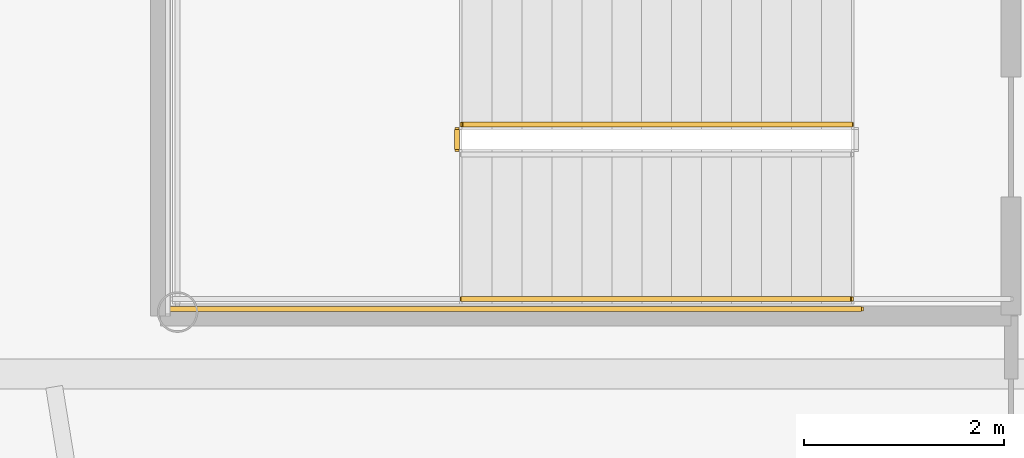
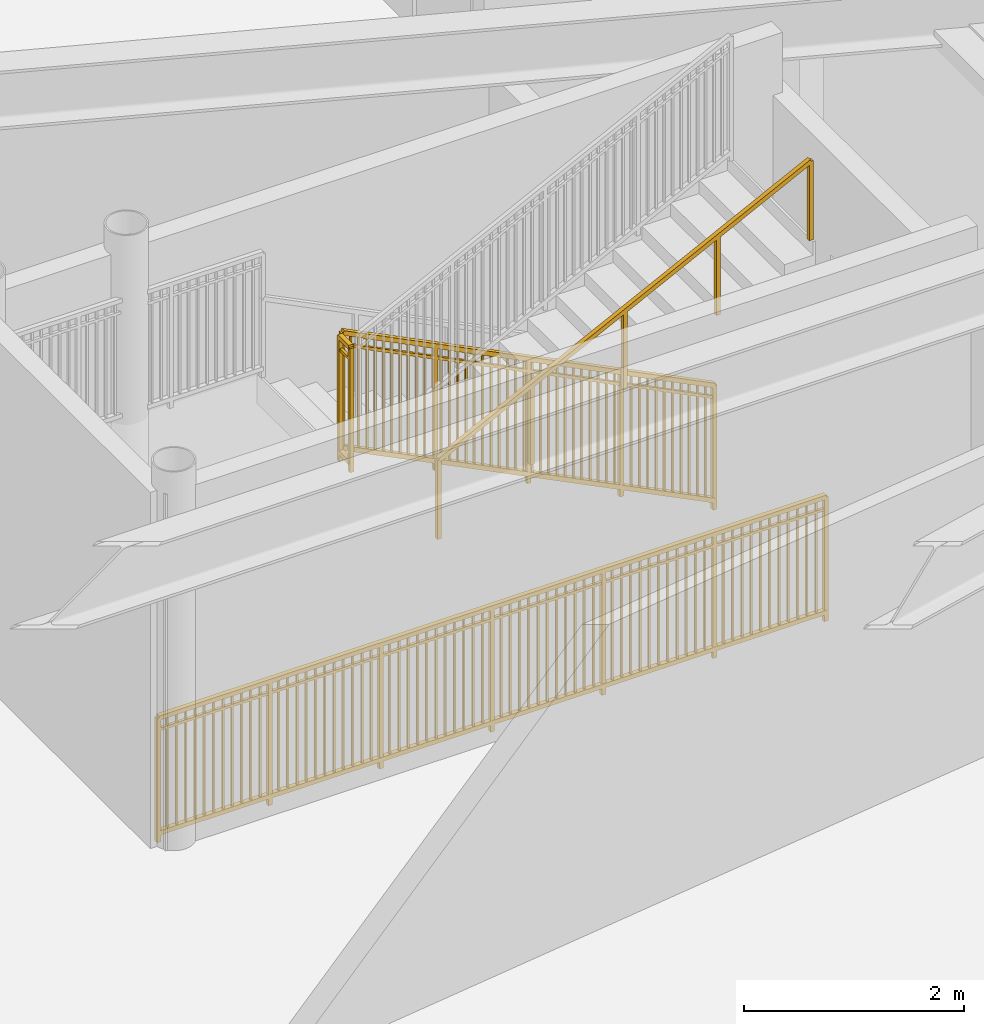
# One storey, part 19 of 29: 4 railings.
"""IFC4 building model written with IfcOpenShell, lengths in metres."""

from ifc_helpers import new_model, si_unit, direction, frame, origin, origin_2d, place, context, subcontext, project, spatial, rectangle, extrude, source, transform, mapped, material, type_object, element, save


model = new_model("IFC4")

# Units and contexts
model_context = context("Model", 3, precision=1e-05, world=origin(), true_north=direction((0.0, 1.0)))
body_context = subcontext(model_context, "Body", "Model", "MODEL_VIEW")
ifc_project = project(units=[si_unit("LENGTHUNIT", "METRE"), si_unit("AREAUNIT", "SQUARE_METRE"), si_unit("VOLUMEUNIT", "CUBIC_METRE"), si_unit("PLANEANGLEUNIT", "RADIAN"), si_unit("MASSUNIT", "GRAM", prefix="KILO")], contexts=[model_context])

# Site, building, storey
site_placement = place(None, origin())
site = spatial("IfcSite", under=ifc_project, at=site_placement, CompositionType="ELEMENT")
building_placement = place(site_placement, origin())
building = spatial("IfcBuilding", under=site, at=building_placement, Name="Linh Dai School and Residence Tower", CompositionType="ELEMENT")
storey_placement = place(building_placement, frame((0.0, 0.0, 45.0)))
storey = spatial("IfcBuildingStorey", under=building, at=storey_placement, Name="L10", CompositionType="ELEMENT", Elevation=45.0)

# Railings
ifc_material_1 = material(Name="Structural Steel S355JR", Category="steel")
railing_type_1 = type_object("IfcRailingType", Name="RL-ST-GUARD-1400", PredefinedType="GUARDRAIL", material=ifc_material_1)
shared_shape_1 = source(origin(), body_context, "Body", "SweptSolid", [
    extrude(rectangle(XDim=0.048095703125, YDim=0.048095703125, at=origin_2d()), frame((0.0, 0.0, 1.3759765625), z_axis=(0.0, -1.0, 0.0), x_axis=(1.0, 0.0, 0.0)), (0.0, 0.0, 1.0), 0.199951171875),
    extrude(rectangle(XDim=0.048095703125, YDim=0.048095703125, at=origin_2d()), frame((0.0, 0.0, 0.10009765625), z_axis=(0.0, -1.0, 0.0), x_axis=(1.0, 0.0, 0.0)), (0.0, 0.0, 1.0), 0.199951171875),
    extrude(rectangle(XDim=0.030029296875, YDim=0.030029296875, at=origin_2d()), frame((0.0, 0.0, 1.239990234375), z_axis=(0.0, -1.0, 0.0), x_axis=(1.0, 0.0, 0.0)), (0.0, 0.0, 1.0), 0.199951171875),
    extrude(rectangle(XDim=0.0419921875, YDim=0.0419921875, at=origin_2d()), origin(), (0.0, 0.0, 1.0), 1.3759765625),
    extrude(rectangle(XDim=0.0419921875, YDim=0.0419921875, at=origin_2d()), frame((0.0, -0.199951171875, 0.0)), (0.0, 0.0, 1.0), 1.3759765625),
])
railing_1_placement = place(storey_placement, frame((18.449951171875, 29.449951171875, 2.10009765625)))
element("IfcRailing", 1, at=railing_1_placement, inside=storey, type_object=railing_type_1, Name="L10 STS1 stair guard 2", PredefinedType="GUARDRAIL", context=body_context, shape_type="MappedRepresentation", body=[
    mapped(shared_shape_1, transform((0.0, 0.0, 0.0), x_axis=(1.0, 0.0, 0.0), y_axis=(0.0, 1.0, 0.0), z_axis=(0.0, 0.0, 1.0), scale=1.0)),
])
shared_shape_2 = source(origin(), body_context, "Body", "SweptSolid", [
    extrude(rectangle(XDim=0.048095703125, YDim=0.048095703125, at=origin_2d()), frame((0.0, 0.0, 1.3759765625), z_axis=(-0.894404793364, 0.0, 0.447258387967), x_axis=(0.0, -1.0, 0.0)), (0.0, 0.0, 1.0), 4.3603515625),
    extrude(rectangle(XDim=0.048095703125, YDim=0.048095703125, at=origin_2d()), frame((0.0, 0.0, 0.10009765625), z_axis=(-0.894404793364, 0.0, 0.447258387967), x_axis=(0.0, -1.0, 0.0)), (0.0, 0.0, 1.0), 4.3603515625),
    extrude(rectangle(XDim=0.030029296875, YDim=0.030029296875, at=origin_2d()), frame((0.0, 0.0, 1.239990234375), z_axis=(-0.894404793364, 0.0, 0.447258387967), x_axis=(0.0, -1.0, 0.0)), (0.0, 0.0, 1.0), 4.3603515625),
    extrude(rectangle(XDim=0.02001953125, YDim=0.02001953125, at=origin_2d()), frame((-0.086669921875, 0.0, 0.1435546875)), (0.0, 0.0, 1.0), 1.251708984375),
    extrude(rectangle(XDim=0.02001953125, YDim=0.02001953125, at=origin_2d()), frame((-0.17333984375, 0.0, 0.186767578125)), (0.0, 0.0, 1.0), 1.251708984375),
    extrude(rectangle(XDim=0.02001953125, YDim=0.02001953125, at=origin_2d()), frame((-0.260009765625, 0.0, 0.230224609375)), (0.0, 0.0, 1.0), 1.251708984375),
    extrude(rectangle(XDim=0.02001953125, YDim=0.02001953125, at=origin_2d()), frame((-0.3466796875, 0.0, 0.2734375)), (0.0, 0.0, 1.0), 1.251708984375),
    extrude(rectangle(XDim=0.02001953125, YDim=0.02001953125, at=origin_2d()), frame((-0.433349609375, 0.0, 0.31689453125)), (0.0, 0.0, 1.0), 1.251708984375),
    extrude(rectangle(XDim=0.02001953125, YDim=0.02001953125, at=origin_2d()), frame((-0.52001953125, 0.0, 0.360107421875)), (0.0, 0.0, 1.0), 1.251708984375),
    extrude(rectangle(XDim=0.02001953125, YDim=0.02001953125, at=origin_2d()), frame((-0.606689453125, 0.0, 0.403564453125)), (0.0, 0.0, 1.0), 1.251708984375),
    extrude(rectangle(XDim=0.02001953125, YDim=0.02001953125, at=origin_2d()), frame((-0.693359375, 0.0, 0.44677734375)), (0.0, 0.0, 1.0), 1.251708984375),
    extrude(rectangle(XDim=0.02001953125, YDim=0.02001953125, at=origin_2d()), frame((-0.780029296875, 0.0, 0.490234375)), (0.0, 0.0, 1.0), 1.251708984375),
    extrude(rectangle(XDim=0.02001953125, YDim=0.02001953125, at=origin_2d()), frame((-0.86669921875, 0.0, 0.533447265625)), (0.0, 0.0, 1.0), 1.251708984375),
    extrude(rectangle(XDim=0.02001953125, YDim=0.02001953125, at=origin_2d()), frame((-1.0400390625, 0.0, 0.6201171875)), (0.0, 0.0, 1.0), 1.251708984375),
    extrude(rectangle(XDim=0.02001953125, YDim=0.02001953125, at=origin_2d()), frame((-1.126708984375, 0.0, 0.66357421875)), (0.0, 0.0, 1.0), 1.251708984375),
    extrude(rectangle(XDim=0.02001953125, YDim=0.02001953125, at=origin_2d()), frame((-1.21337890625, 0.0, 0.706787109375)), (0.0, 0.0, 1.0), 1.251708984375),
    extrude(rectangle(XDim=0.02001953125, YDim=0.02001953125, at=origin_2d()), frame((-1.300048828125, 0.0, 0.750244140625)), (0.0, 0.0, 1.0), 1.251708984375),
    extrude(rectangle(XDim=0.02001953125, YDim=0.02001953125, at=origin_2d()), frame((-1.38671875, 0.0, 0.79345703125)), (0.0, 0.0, 1.0), 1.251708984375),
    extrude(rectangle(XDim=0.02001953125, YDim=0.02001953125, at=origin_2d()), frame((-1.473388671875, 0.0, 0.8369140625)), (0.0, 0.0, 1.0), 1.251708984375),
    extrude(rectangle(XDim=0.02001953125, YDim=0.02001953125, at=origin_2d()), frame((-1.56005859375, 0.0, 0.880126953125)), (0.0, 0.0, 1.0), 1.251708984375),
    extrude(rectangle(XDim=0.02001953125, YDim=0.02001953125, at=origin_2d()), frame((-1.646728515625, 0.0, 0.923583984375)), (0.0, 0.0, 1.0), 1.251708984375),
    extrude(rectangle(XDim=0.02001953125, YDim=0.02001953125, at=origin_2d()), frame((-1.7333984375, 0.0, 0.966796875)), (0.0, 0.0, 1.0), 1.251708984375),
    extrude(rectangle(XDim=0.02001953125, YDim=0.02001953125, at=origin_2d()), frame((-1.820068359375, 0.0, 1.01025390625)), (0.0, 0.0, 1.0), 1.251708984375),
    extrude(rectangle(XDim=0.02001953125, YDim=0.02001953125, at=origin_2d()), frame((-1.90673828125, 0.0, 1.053466796875)), (0.0, 0.0, 1.0), 1.251708984375),
    extrude(rectangle(XDim=0.02001953125, YDim=0.02001953125, at=origin_2d()), frame((-1.9931640625, 0.0, 1.096923828125)), (0.0, 0.0, 1.0), 1.251708984375),
    extrude(rectangle(XDim=0.02001953125, YDim=0.02001953125, at=origin_2d()), frame((-2.079833984375, 0.0, 1.14013671875)), (0.0, 0.0, 1.0), 1.251708984375),
    extrude(rectangle(XDim=0.02001953125, YDim=0.02001953125, at=origin_2d()), frame((-2.16650390625, 0.0, 1.18359375)), (0.0, 0.0, 1.0), 1.251708984375),
    extrude(rectangle(XDim=0.02001953125, YDim=0.02001953125, at=origin_2d()), frame((-2.253173828125, 0.0, 1.226806640625)), (0.0, 0.0, 1.0), 1.251708984375),
    extrude(rectangle(XDim=0.02001953125, YDim=0.02001953125, at=origin_2d()), frame((-2.33984375, 0.0, 1.270263671875)), (0.0, 0.0, 1.0), 1.251708984375),
    extrude(rectangle(XDim=0.02001953125, YDim=0.02001953125, at=origin_2d()), frame((-2.426513671875, 0.0, 1.3134765625)), (0.0, 0.0, 1.0), 1.251708984375),
    extrude(rectangle(XDim=0.02001953125, YDim=0.02001953125, at=origin_2d()), frame((-2.51318359375, 0.0, 1.35693359375)), (0.0, 0.0, 1.0), 1.251708984375),
    extrude(rectangle(XDim=0.02001953125, YDim=0.02001953125, at=origin_2d()), frame((-2.599853515625, 0.0, 1.400146484375)), (0.0, 0.0, 1.0), 1.251708984375),
    extrude(rectangle(XDim=0.02001953125, YDim=0.02001953125, at=origin_2d()), frame((-2.6865234375, 0.0, 1.443603515625)), (0.0, 0.0, 1.0), 1.251708984375),
    extrude(rectangle(XDim=0.02001953125, YDim=0.02001953125, at=origin_2d()), frame((-2.773193359375, 0.0, 1.48681640625)), (0.0, 0.0, 1.0), 1.251708984375),
    extrude(rectangle(XDim=0.02001953125, YDim=0.02001953125, at=origin_2d()), frame((-2.85986328125, 0.0, 1.5302734375)), (0.0, 0.0, 1.0), 1.251708984375),
    extrude(rectangle(XDim=0.02001953125, YDim=0.02001953125, at=origin_2d()), frame((-3.033203125, 0.0, 1.616943359375)), (0.0, 0.0, 1.0), 1.251708984375),
    extrude(rectangle(XDim=0.02001953125, YDim=0.02001953125, at=origin_2d()), frame((-3.119873046875, 0.0, 1.66015625)), (0.0, 0.0, 1.0), 1.251708984375),
    extrude(rectangle(XDim=0.02001953125, YDim=0.02001953125, at=origin_2d()), frame((-3.20654296875, 0.0, 1.70361328125)), (0.0, 0.0, 1.0), 1.251708984375),
    extrude(rectangle(XDim=0.02001953125, YDim=0.02001953125, at=origin_2d()), frame((-3.293212890625, 0.0, 1.746826171875)), (0.0, 0.0, 1.0), 1.251708984375),
    extrude(rectangle(XDim=0.02001953125, YDim=0.02001953125, at=origin_2d()), frame((-3.3798828125, 0.0, 1.790283203125)), (0.0, 0.0, 1.0), 1.251708984375),
    extrude(rectangle(XDim=0.02001953125, YDim=0.02001953125, at=origin_2d()), frame((-3.466552734375, 0.0, 1.83349609375)), (0.0, 0.0, 1.0), 1.251708984375),
    extrude(rectangle(XDim=0.02001953125, YDim=0.02001953125, at=origin_2d()), frame((-3.55322265625, 0.0, 1.876953125)), (0.0, 0.0, 1.0), 1.251708984375),
    extrude(rectangle(XDim=0.02001953125, YDim=0.02001953125, at=origin_2d()), frame((-3.639892578125, 0.0, 1.920166015625)), (0.0, 0.0, 1.0), 1.251708984375),
    extrude(rectangle(XDim=0.02001953125, YDim=0.02001953125, at=origin_2d()), frame((-3.7265625, 0.0, 1.963623046875)), (0.0, 0.0, 1.0), 1.251708984375),
    extrude(rectangle(XDim=0.02001953125, YDim=0.02001953125, at=origin_2d()), frame((-3.813232421875, 0.0, 2.0068359375)), (0.0, 0.0, 1.0), 1.251708984375),
    extrude(rectangle(XDim=0.0419921875, YDim=0.0419921875, at=origin_2d()), origin(), (0.0, 0.0, 1.0), 1.3759765625),
    extrude(rectangle(XDim=0.0419921875, YDim=0.0419921875, at=origin_2d()), frame((-0.97509765625, 0.0, 0.487548828125)), (0.0, 0.0, 1.0), 1.3759765625),
    extrude(rectangle(XDim=0.0419921875, YDim=0.0419921875, at=origin_2d()), frame((-1.949951171875, 0.0, 0.97509765625)), (0.0, 0.0, 1.0), 1.3759765625),
    extrude(rectangle(XDim=0.0419921875, YDim=0.0419921875, at=origin_2d()), frame((-2.9248046875, 0.0, 1.462646484375)), (0.0, 0.0, 1.0), 1.3759765625),
    extrude(rectangle(XDim=0.0419921875, YDim=0.0419921875, at=origin_2d()), frame((-3.89990234375, 0.0, 1.9501953125)), (0.0, 0.0, 1.0), 1.3759765625),
])
railing_2_placement = place(storey_placement, frame((22.39990234375, 29.5, 0.14990234375)))
element("IfcRailing", 2, at=railing_2_placement, inside=storey, type_object=railing_type_1, Name="L10 STS1 stair guard 1", PredefinedType="GUARDRAIL", context=body_context, shape_type="MappedRepresentation", body=[
    mapped(shared_shape_2, transform((0.0, 0.0, 0.0), x_axis=(1.0, 0.0, 0.0), y_axis=(0.0, 1.0, 0.0), z_axis=(0.0, 0.0, 1.0), scale=1.0)),
])
shared_shape_3 = source(origin(), body_context, "Body", "SweptSolid", [
    extrude(rectangle(XDim=0.048095703125, YDim=0.048095703125, at=origin_2d()), frame((0.0, 0.0, 1.3759765625), z_axis=(-1.0, 0.0, 0.0), x_axis=(0.0, -1.0, 0.0)), (0.0, 0.0, 1.0), 7.0),
    extrude(rectangle(XDim=0.048095703125, YDim=0.048095703125, at=origin_2d()), frame((0.0, 0.0, 0.10009765625), z_axis=(-1.0, 0.0, 0.0), x_axis=(0.0, -1.0, 0.0)), (0.0, 0.0, 1.0), 7.0),
    extrude(rectangle(XDim=0.030029296875, YDim=0.030029296875, at=origin_2d()), frame((0.0, 0.0, 1.239990234375), z_axis=(-1.0, 0.0, 0.0), x_axis=(0.0, -1.0, 0.0)), (0.0, 0.0, 1.0), 7.0),
    extrude(rectangle(XDim=0.02001953125, YDim=0.02001953125, at=origin_2d()), frame((-0.09716796875, 0.0, 0.10009765625)), (0.0, 0.0, 1.0), 1.251708984375),
    extrude(rectangle(XDim=0.02001953125, YDim=0.02001953125, at=origin_2d()), frame((-0.1943359375, 0.0, 0.10009765625)), (0.0, 0.0, 1.0), 1.251708984375),
    extrude(rectangle(XDim=0.02001953125, YDim=0.02001953125, at=origin_2d()), frame((-0.291748046875, 0.0, 0.10009765625)), (0.0, 0.0, 1.0), 1.251708984375),
    extrude(rectangle(XDim=0.02001953125, YDim=0.02001953125, at=origin_2d()), frame((-0.388916015625, 0.0, 0.10009765625)), (0.0, 0.0, 1.0), 1.251708984375),
    extrude(rectangle(XDim=0.02001953125, YDim=0.02001953125, at=origin_2d()), frame((-0.486083984375, 0.0, 0.10009765625)), (0.0, 0.0, 1.0), 1.251708984375),
    extrude(rectangle(XDim=0.02001953125, YDim=0.02001953125, at=origin_2d()), frame((-0.583251953125, 0.0, 0.10009765625)), (0.0, 0.0, 1.0), 1.251708984375),
    extrude(rectangle(XDim=0.02001953125, YDim=0.02001953125, at=origin_2d()), frame((-0.6806640625, 0.0, 0.10009765625)), (0.0, 0.0, 1.0), 1.251708984375),
    extrude(rectangle(XDim=0.02001953125, YDim=0.02001953125, at=origin_2d()), frame((-0.77783203125, 0.0, 0.10009765625)), (0.0, 0.0, 1.0), 1.251708984375),
    extrude(rectangle(XDim=0.02001953125, YDim=0.02001953125, at=origin_2d()), frame((-0.875, 0.0, 0.10009765625)), (0.0, 0.0, 1.0), 1.251708984375),
    extrude(rectangle(XDim=0.02001953125, YDim=0.02001953125, at=origin_2d()), frame((-0.97216796875, 0.0, 0.10009765625)), (0.0, 0.0, 1.0), 1.251708984375),
    extrude(rectangle(XDim=0.02001953125, YDim=0.02001953125, at=origin_2d()), frame((-1.0693359375, 0.0, 0.10009765625)), (0.0, 0.0, 1.0), 1.251708984375),
    extrude(rectangle(XDim=0.02001953125, YDim=0.02001953125, at=origin_2d()), frame((-1.263916015625, 0.0, 0.10009765625)), (0.0, 0.0, 1.0), 1.251708984375),
    extrude(rectangle(XDim=0.02001953125, YDim=0.02001953125, at=origin_2d()), frame((-1.361083984375, 0.0, 0.10009765625)), (0.0, 0.0, 1.0), 1.251708984375),
    extrude(rectangle(XDim=0.02001953125, YDim=0.02001953125, at=origin_2d()), frame((-1.458251953125, 0.0, 0.10009765625)), (0.0, 0.0, 1.0), 1.251708984375),
    extrude(rectangle(XDim=0.02001953125, YDim=0.02001953125, at=origin_2d()), frame((-1.5556640625, 0.0, 0.10009765625)), (0.0, 0.0, 1.0), 1.251708984375),
    extrude(rectangle(XDim=0.02001953125, YDim=0.02001953125, at=origin_2d()), frame((-1.65283203125, 0.0, 0.10009765625)), (0.0, 0.0, 1.0), 1.251708984375),
    extrude(rectangle(XDim=0.02001953125, YDim=0.02001953125, at=origin_2d()), frame((-1.75, 0.0, 0.10009765625)), (0.0, 0.0, 1.0), 1.251708984375),
    extrude(rectangle(XDim=0.02001953125, YDim=0.02001953125, at=origin_2d()), frame((-1.84716796875, 0.0, 0.10009765625)), (0.0, 0.0, 1.0), 1.251708984375),
    extrude(rectangle(XDim=0.02001953125, YDim=0.02001953125, at=origin_2d()), frame((-1.9443359375, 0.0, 0.10009765625)), (0.0, 0.0, 1.0), 1.251708984375),
    extrude(rectangle(XDim=0.02001953125, YDim=0.02001953125, at=origin_2d()), frame((-2.041748046875, 0.0, 0.10009765625)), (0.0, 0.0, 1.0), 1.251708984375),
    extrude(rectangle(XDim=0.02001953125, YDim=0.02001953125, at=origin_2d()), frame((-2.138916015625, 0.0, 0.10009765625)), (0.0, 0.0, 1.0), 1.251708984375),
    extrude(rectangle(XDim=0.02001953125, YDim=0.02001953125, at=origin_2d()), frame((-2.236083984375, 0.0, 0.10009765625)), (0.0, 0.0, 1.0), 1.251708984375),
    extrude(rectangle(XDim=0.02001953125, YDim=0.02001953125, at=origin_2d()), frame((-2.4306640625, 0.0, 0.10009765625)), (0.0, 0.0, 1.0), 1.251708984375),
    extrude(rectangle(XDim=0.02001953125, YDim=0.02001953125, at=origin_2d()), frame((-2.52783203125, 0.0, 0.10009765625)), (0.0, 0.0, 1.0), 1.251708984375),
    extrude(rectangle(XDim=0.02001953125, YDim=0.02001953125, at=origin_2d()), frame((-2.625, 0.0, 0.10009765625)), (0.0, 0.0, 1.0), 1.251708984375),
    extrude(rectangle(XDim=0.02001953125, YDim=0.02001953125, at=origin_2d()), frame((-2.72216796875, 0.0, 0.10009765625)), (0.0, 0.0, 1.0), 1.251708984375),
    extrude(rectangle(XDim=0.02001953125, YDim=0.02001953125, at=origin_2d()), frame((-2.8193359375, 0.0, 0.10009765625)), (0.0, 0.0, 1.0), 1.251708984375),
    extrude(rectangle(XDim=0.02001953125, YDim=0.02001953125, at=origin_2d()), frame((-2.916748046875, 0.0, 0.10009765625)), (0.0, 0.0, 1.0), 1.251708984375),
    extrude(rectangle(XDim=0.02001953125, YDim=0.02001953125, at=origin_2d()), frame((-3.013916015625, 0.0, 0.10009765625)), (0.0, 0.0, 1.0), 1.251708984375),
    extrude(rectangle(XDim=0.02001953125, YDim=0.02001953125, at=origin_2d()), frame((-3.111083984375, 0.0, 0.10009765625)), (0.0, 0.0, 1.0), 1.251708984375),
    extrude(rectangle(XDim=0.02001953125, YDim=0.02001953125, at=origin_2d()), frame((-3.208251953125, 0.0, 0.10009765625)), (0.0, 0.0, 1.0), 1.251708984375),
    extrude(rectangle(XDim=0.02001953125, YDim=0.02001953125, at=origin_2d()), frame((-3.3056640625, 0.0, 0.10009765625)), (0.0, 0.0, 1.0), 1.251708984375),
    extrude(rectangle(XDim=0.02001953125, YDim=0.02001953125, at=origin_2d()), frame((-3.40283203125, 0.0, 0.10009765625)), (0.0, 0.0, 1.0), 1.251708984375),
    extrude(rectangle(XDim=0.02001953125, YDim=0.02001953125, at=origin_2d()), frame((-3.59716796875, 0.0, 0.10009765625)), (0.0, 0.0, 1.0), 1.251708984375),
    extrude(rectangle(XDim=0.02001953125, YDim=0.02001953125, at=origin_2d()), frame((-3.6943359375, 0.0, 0.10009765625)), (0.0, 0.0, 1.0), 1.251708984375),
    extrude(rectangle(XDim=0.02001953125, YDim=0.02001953125, at=origin_2d()), frame((-3.791748046875, 0.0, 0.10009765625)), (0.0, 0.0, 1.0), 1.251708984375),
    extrude(rectangle(XDim=0.02001953125, YDim=0.02001953125, at=origin_2d()), frame((-3.888916015625, 0.0, 0.10009765625)), (0.0, 0.0, 1.0), 1.251708984375),
    extrude(rectangle(XDim=0.02001953125, YDim=0.02001953125, at=origin_2d()), frame((-3.986083984375, 0.0, 0.10009765625)), (0.0, 0.0, 1.0), 1.251708984375),
    extrude(rectangle(XDim=0.02001953125, YDim=0.02001953125, at=origin_2d()), frame((-4.083251953125, 0.0, 0.10009765625)), (0.0, 0.0, 1.0), 1.251708984375),
    extrude(rectangle(XDim=0.02001953125, YDim=0.02001953125, at=origin_2d()), frame((-4.1806640625, 0.0, 0.10009765625)), (0.0, 0.0, 1.0), 1.251708984375),
    extrude(rectangle(XDim=0.02001953125, YDim=0.02001953125, at=origin_2d()), frame((-4.27783203125, 0.0, 0.10009765625)), (0.0, 0.0, 1.0), 1.251708984375),
    extrude(rectangle(XDim=0.02001953125, YDim=0.02001953125, at=origin_2d()), frame((-4.375, 0.0, 0.10009765625)), (0.0, 0.0, 1.0), 1.251708984375),
    extrude(rectangle(XDim=0.02001953125, YDim=0.02001953125, at=origin_2d()), frame((-4.47216796875, 0.0, 0.10009765625)), (0.0, 0.0, 1.0), 1.251708984375),
    extrude(rectangle(XDim=0.02001953125, YDim=0.02001953125, at=origin_2d()), frame((-4.5693359375, 0.0, 0.10009765625)), (0.0, 0.0, 1.0), 1.251708984375),
    extrude(rectangle(XDim=0.02001953125, YDim=0.02001953125, at=origin_2d()), frame((-4.763916015625, 0.0, 0.10009765625)), (0.0, 0.0, 1.0), 1.251708984375),
    extrude(rectangle(XDim=0.02001953125, YDim=0.02001953125, at=origin_2d()), frame((-4.861083984375, 0.0, 0.10009765625)), (0.0, 0.0, 1.0), 1.251708984375),
    extrude(rectangle(XDim=0.02001953125, YDim=0.02001953125, at=origin_2d()), frame((-4.958251953125, 0.0, 0.10009765625)), (0.0, 0.0, 1.0), 1.251708984375),
    extrude(rectangle(XDim=0.02001953125, YDim=0.02001953125, at=origin_2d()), frame((-5.0556640625, 0.0, 0.10009765625)), (0.0, 0.0, 1.0), 1.251708984375),
    extrude(rectangle(XDim=0.02001953125, YDim=0.02001953125, at=origin_2d()), frame((-5.15283203125, 0.0, 0.10009765625)), (0.0, 0.0, 1.0), 1.251708984375),
    extrude(rectangle(XDim=0.02001953125, YDim=0.02001953125, at=origin_2d()), frame((-5.25, 0.0, 0.10009765625)), (0.0, 0.0, 1.0), 1.251708984375),
    extrude(rectangle(XDim=0.02001953125, YDim=0.02001953125, at=origin_2d()), frame((-5.34716796875, 0.0, 0.10009765625)), (0.0, 0.0, 1.0), 1.251708984375),
    extrude(rectangle(XDim=0.02001953125, YDim=0.02001953125, at=origin_2d()), frame((-5.4443359375, 0.0, 0.10009765625)), (0.0, 0.0, 1.0), 1.251708984375),
    extrude(rectangle(XDim=0.02001953125, YDim=0.02001953125, at=origin_2d()), frame((-5.541748046875, 0.0, 0.10009765625)), (0.0, 0.0, 1.0), 1.251708984375),
    extrude(rectangle(XDim=0.02001953125, YDim=0.02001953125, at=origin_2d()), frame((-5.638916015625, 0.0, 0.10009765625)), (0.0, 0.0, 1.0), 1.251708984375),
    extrude(rectangle(XDim=0.02001953125, YDim=0.02001953125, at=origin_2d()), frame((-5.736083984375, 0.0, 0.10009765625)), (0.0, 0.0, 1.0), 1.251708984375),
    extrude(rectangle(XDim=0.02001953125, YDim=0.02001953125, at=origin_2d()), frame((-5.9306640625, 0.0, 0.10009765625)), (0.0, 0.0, 1.0), 1.251708984375),
    extrude(rectangle(XDim=0.02001953125, YDim=0.02001953125, at=origin_2d()), frame((-6.02783203125, 0.0, 0.10009765625)), (0.0, 0.0, 1.0), 1.251708984375),
    extrude(rectangle(XDim=0.02001953125, YDim=0.02001953125, at=origin_2d()), frame((-6.125, 0.0, 0.10009765625)), (0.0, 0.0, 1.0), 1.251708984375),
    extrude(rectangle(XDim=0.02001953125, YDim=0.02001953125, at=origin_2d()), frame((-6.22216796875, 0.0, 0.10009765625)), (0.0, 0.0, 1.0), 1.251708984375),
    extrude(rectangle(XDim=0.02001953125, YDim=0.02001953125, at=origin_2d()), frame((-6.3193359375, 0.0, 0.10009765625)), (0.0, 0.0, 1.0), 1.251708984375),
    extrude(rectangle(XDim=0.02001953125, YDim=0.02001953125, at=origin_2d()), frame((-6.416748046875, 0.0, 0.10009765625)), (0.0, 0.0, 1.0), 1.251708984375),
    extrude(rectangle(XDim=0.02001953125, YDim=0.02001953125, at=origin_2d()), frame((-6.513916015625, 0.0, 0.10009765625)), (0.0, 0.0, 1.0), 1.251708984375),
    extrude(rectangle(XDim=0.02001953125, YDim=0.02001953125, at=origin_2d()), frame((-6.611083984375, 0.0, 0.10009765625)), (0.0, 0.0, 1.0), 1.251708984375),
    extrude(rectangle(XDim=0.02001953125, YDim=0.02001953125, at=origin_2d()), frame((-6.708251953125, 0.0, 0.10009765625)), (0.0, 0.0, 1.0), 1.251708984375),
    extrude(rectangle(XDim=0.02001953125, YDim=0.02001953125, at=origin_2d()), frame((-6.8056640625, 0.0, 0.10009765625)), (0.0, 0.0, 1.0), 1.251708984375),
    extrude(rectangle(XDim=0.02001953125, YDim=0.02001953125, at=origin_2d()), frame((-6.90283203125, 0.0, 0.10009765625)), (0.0, 0.0, 1.0), 1.251708984375),
    extrude(rectangle(XDim=0.0419921875, YDim=0.0419921875, at=origin_2d()), origin(), (0.0, 0.0, 1.0), 1.3759765625),
    extrude(rectangle(XDim=0.0419921875, YDim=0.0419921875, at=origin_2d()), frame((-1.166748046875, 0.0, 0.0)), (0.0, 0.0, 1.0), 1.3759765625),
    extrude(rectangle(XDim=0.0419921875, YDim=0.0419921875, at=origin_2d()), frame((-2.333251953125, 0.0, 0.0)), (0.0, 0.0, 1.0), 1.3759765625),
    extrude(rectangle(XDim=0.0419921875, YDim=0.0419921875, at=origin_2d()), frame((-3.5, 0.0, 0.0)), (0.0, 0.0, 1.0), 1.3759765625),
    extrude(rectangle(XDim=0.0419921875, YDim=0.0419921875, at=origin_2d()), frame((-4.666748046875, 0.0, 0.0)), (0.0, 0.0, 1.0), 1.3759765625),
    extrude(rectangle(XDim=0.0419921875, YDim=0.0419921875, at=origin_2d()), frame((-5.833251953125, 0.0, 0.0)), (0.0, 0.0, 1.0), 1.3759765625),
    extrude(rectangle(XDim=0.0419921875, YDim=0.0419921875, at=origin_2d()), frame((-7.0, 0.0, 0.0)), (0.0, 0.0, 1.0), 1.3759765625),
])
railing_3_placement = place(storey_placement, frame((22.5, 27.64990234375, 0.0)))
element("IfcRailing", 3, at=railing_3_placement, inside=storey, type_object=railing_type_1, Name="L10 STS1 stair guard 11", PredefinedType="GUARDRAIL", context=body_context, shape_type="MappedRepresentation", body=[
    mapped(shared_shape_3, transform((0.0, 0.0, 0.0), x_axis=(1.0, 0.0, 0.0), y_axis=(0.0, 1.0, 0.0), z_axis=(0.0, 0.0, 1.0), scale=1.0)),
])
ifc_material_2 = material(Name="Brushed Stainless Steel Handrail", Category="steel")
railing_type_2 = type_object("IfcRailingType", Name="RL-ST-HANDRAIL-900", PredefinedType="HANDRAIL", material=ifc_material_2)
shared_shape_4 = source(origin(), body_context, "Body", "SweptSolid", [
    extrude(rectangle(XDim=0.048095703125, YDim=0.048095703125, at=origin_2d()), frame((0.0, 0.0, 0.8759765625), z_axis=(0.894427191, 0.0, 0.4472135955), x_axis=(0.0, 1.0, 0.0)), (0.0, 0.0, 1.0), 4.360107421875),
    extrude(rectangle(XDim=0.0419921875, YDim=0.0419921875, at=origin_2d()), origin(), (0.0, 0.0, 1.0), 0.8759765625),
    extrude(rectangle(XDim=0.0419921875, YDim=0.0419921875, at=origin_2d()), frame((0.97509765625, 0.0, 0.487548828125)), (0.0, 0.0, 1.0), 0.8759765625),
    extrude(rectangle(XDim=0.0419921875, YDim=0.0419921875, at=origin_2d()), frame((1.949951171875, 0.0, 0.97509765625)), (0.0, 0.0, 1.0), 0.8759765625),
    extrude(rectangle(XDim=0.0419921875, YDim=0.0419921875, at=origin_2d()), frame((2.9248046875, 0.0, 1.46240234375)), (0.0, 0.0, 1.0), 0.8759765625),
    extrude(rectangle(XDim=0.0419921875, YDim=0.0419921875, at=origin_2d()), frame((3.89990234375, 0.0, 1.949951171875)), (0.0, 0.0, 1.0), 0.8759765625),
])
railing_4_placement = place(storey_placement, frame((18.5, 27.75, 2.25)))
element("IfcRailing", 4, at=railing_4_placement, inside=storey, type_object=railing_type_2, Name="L10 STS1 stair handrail 2", PredefinedType="HANDRAIL", context=body_context, shape_type="MappedRepresentation", body=[
    mapped(shared_shape_4, transform((0.0, 0.0, 0.0), x_axis=(1.0, 0.0, 0.0), y_axis=(0.0, 1.0, 0.0), z_axis=(0.0, 0.0, 1.0), scale=1.0)),
])

save(model, "model.ifc")
